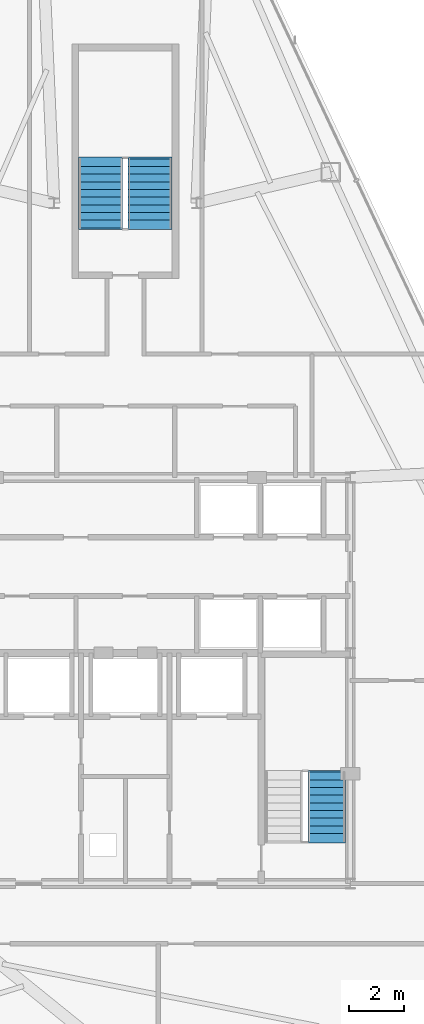
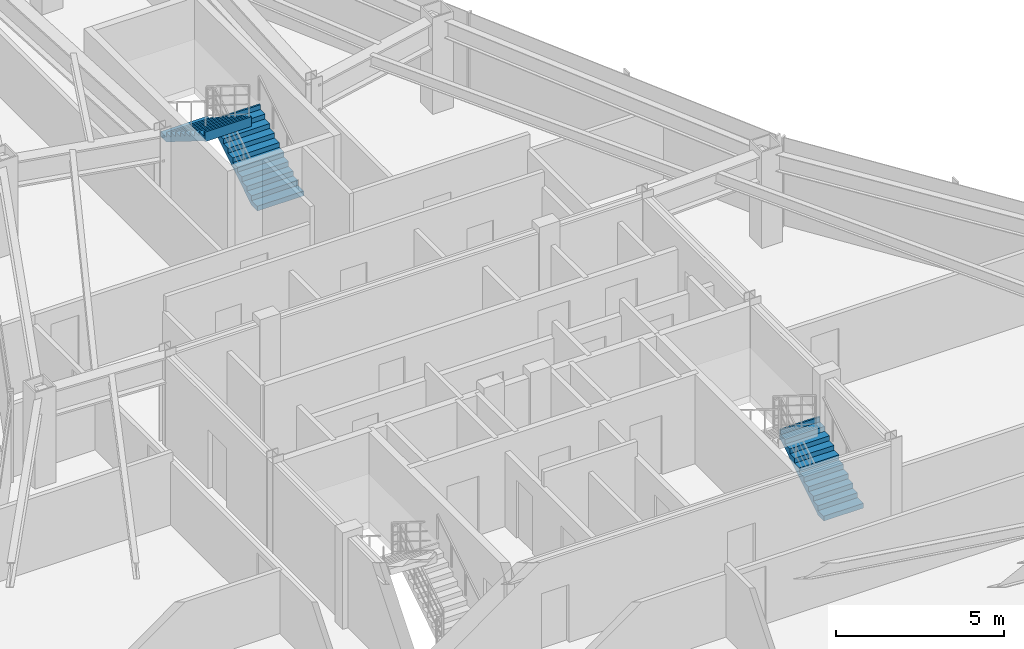
# One storey, part 11 of 12: 3 stair flights, 2 elements without a shape of their own.
"""IFC4 building model written with IfcOpenShell, lengths in metres."""

from ifc_helpers import new_model, si_unit, direction, frame, origin, place, context, subcontext, project, spatial, polyline, outline, extrude, material, type_object, element, aggregate, save


model = new_model("IFC4")

# Units and contexts
model_context = context("Model", 3, precision=1e-05, world=origin(), true_north=direction((0.0, 1.0)))
body_context = subcontext(model_context, "Body", "Model", "MODEL_VIEW")
ifc_project = project(units=[si_unit("LENGTHUNIT", "METRE"), si_unit("AREAUNIT", "SQUARE_METRE"), si_unit("VOLUMEUNIT", "CUBIC_METRE"), si_unit("PLANEANGLEUNIT", "RADIAN"), si_unit("MASSUNIT", "GRAM", prefix="KILO")], contexts=[model_context])

# Site, building, storey
site_placement = place(None, origin())
site = spatial("IfcSite", under=ifc_project, at=site_placement, CompositionType="ELEMENT")
building_placement = place(site_placement, origin())
building = spatial("IfcBuilding", under=site, at=building_placement, Name="Varakhsha Concourse Tower", CompositionType="ELEMENT")
storey_placement = place(building_placement, frame((0.0, 0.0, 225.89990234375)))
storey = spatial("IfcBuildingStorey", under=building, at=storey_placement, Name="L64", CompositionType="ELEMENT", Elevation=225.89990234375)

# Stair, stair flight
ifc_material = material(Name="Concrete fc 45 MPa", Category="concrete")
stair_type_1 = type_object("IfcStairType", Name="ST-DOGLEG-1360", PredefinedType="HALF_TURN_STAIR", material=ifc_material)
stair_1_placement = place(storey_placement, origin())
stair_1 = element("IfcStair", 1, at=stair_1_placement, inside=storey, type_object=stair_type_1, Name="L64 Protected Exit Stair ST2", PredefinedType="HALF_TURN_STAIR")
stair_flight_type_1 = type_object("IfcStairFlightType", Name="STF-1360-R1750", PredefinedType="STRAIGHT", material=ifc_material)
stair_flight_1_placement = place(storey_placement, frame((47.340087890625, 17.93994140625, 0.0), z_axis=(0.0, 0.0, 1.0), x_axis=(0.0, 1.0, 0.0)))
stair_flight_1 = element("IfcStairFlight", 2, at=stair_flight_1_placement, type_object=stair_flight_type_1, Name="ST2 flight 1", NumberOfRisers=10, NumberOfTreads=9, PredefinedType="STRAIGHT", RiserHeight=0.175, TreadLength=0.28, context=body_context, shape_type="SweptSolid", body=[
    extrude(outline(polyline([(-0.06005859375, 0.0), (-0.06005859375, 0.175048828125), (0.0, 0.175048828125), (0.280029296875, 0.175048828125), (0.280029296875, 0.35009765625), (0.56005859375, 0.35009765625), (0.56005859375, 0.52490234375), (0.840087890625, 0.52490234375), (0.840087890625, 0.699951171875), (1.1201171875, 0.699951171875), (1.1201171875, 0.875), (1.39990234375, 0.875), (1.39990234375, 1.050048828125), (1.679931640625, 1.050048828125), (1.679931640625, 1.22509765625), (1.9599609375, 1.22509765625), (1.9599609375, 1.39990234375), (2.239990234375, 1.39990234375), (2.239990234375, 1.574951171875), (2.52001953125, 1.574951171875), (2.52001953125, 1.75), (2.580078125, 1.75), (2.580078125, 1.398193359375), (2.52001953125, 1.398193359375), (0.28271484375, 0.0), (-0.06005859375, 0.0)])), frame((0.0, 0.68017578125, 0.0), z_axis=(0.0, -1.0, 0.0), x_axis=(1.0, 0.0, 0.0)), (0.0, 0.0, 1.0), 1.360107421875),
])
aggregate(stair_1, [stair_flight_1])

# Stair, stair flights
stair_type_2 = type_object("IfcStairType", Name="ST-DOGLEG-1600", PredefinedType="HALF_TURN_STAIR", material=ifc_material)
stair_2_placement = place(storey_placement, origin())
stair_2 = element("IfcStair", 3, at=stair_2_placement, inside=storey, type_object=stair_type_2, Name="L64 Protected Exit Stair ST5", PredefinedType="HALF_TURN_STAIR")
stair_flight_type_2 = type_object("IfcStairFlightType", Name="STF-1600-R1750", PredefinedType="STRAIGHT", material=ifc_material)
stair_flight_2_placement = place(storey_placement, frame((40.89990234375, 40.300048828125, 0.0), z_axis=(0.0, 0.0, 1.0), x_axis=(0.0, 1.0, 0.0)))
stair_flight_2 = element("IfcStairFlight", 4, at=stair_flight_2_placement, type_object=stair_flight_type_2, Name="ST5 flight 1", NumberOfRisers=10, NumberOfTreads=9, PredefinedType="STRAIGHT", RiserHeight=0.175, TreadLength=0.28, context=body_context, shape_type="SweptSolid", body=[
    extrude(outline(polyline([(-0.06005859375, 0.0), (-0.06005859375, 0.175048828125), (0.0, 0.175048828125), (0.280029296875, 0.175048828125), (0.280029296875, 0.35009765625), (0.56005859375, 0.35009765625), (0.56005859375, 0.52490234375), (0.840087890625, 0.52490234375), (0.840087890625, 0.699951171875), (1.1201171875, 0.699951171875), (1.1201171875, 0.875), (1.39990234375, 0.875), (1.39990234375, 1.050048828125), (1.679931640625, 1.050048828125), (1.679931640625, 1.22509765625), (1.9599609375, 1.22509765625), (1.9599609375, 1.39990234375), (2.239990234375, 1.39990234375), (2.239990234375, 1.574951171875), (2.52001953125, 1.574951171875), (2.52001953125, 1.75), (2.580078125, 1.75), (2.580078125, 1.398193359375), (2.52001953125, 1.398193359375), (0.28271484375, 0.0), (-0.06005859375, 0.0)])), frame((0.0, 0.800048828125, 0.0), z_axis=(0.0, -1.0, 0.0), x_axis=(1.0, 0.0, 0.0)), (0.0, 0.0, 1.0), 1.60009765625),
])
stair_flight_3_placement = place(storey_placement, frame((39.10009765625, 42.820068359375, 1.75), z_axis=(0.0, 0.0, 1.0), x_axis=(0.0, -1.0, 0.0)))
stair_flight_3 = element("IfcStairFlight", 5, at=stair_flight_3_placement, type_object=stair_flight_type_2, Name="ST5 flight 2", NumberOfRisers=10, NumberOfTreads=9, PredefinedType="STRAIGHT", RiserHeight=0.175, TreadLength=0.28, context=body_context, shape_type="SweptSolid", body=[
    extrude(outline(polyline([(-0.06005859375, 0.0), (-0.06005859375, 0.175048828125), (0.0, 0.175048828125), (0.280029296875, 0.175048828125), (0.280029296875, 0.35009765625), (0.56005859375, 0.35009765625), (0.56005859375, 0.52490234375), (0.840087890625, 0.52490234375), (0.840087890625, 0.699951171875), (1.1201171875, 0.699951171875), (1.1201171875, 0.875), (1.39990234375, 0.875), (1.39990234375, 1.050048828125), (1.679931640625, 1.050048828125), (1.679931640625, 1.22509765625), (1.9599609375, 1.22509765625), (1.9599609375, 1.39990234375), (2.239990234375, 1.39990234375), (2.239990234375, 1.574951171875), (2.52001953125, 1.574951171875), (2.52001953125, 1.75), (2.580078125, 1.75), (2.580078125, 1.398193359375), (2.52001953125, 1.398193359375), (0.28271484375, 0.0), (-0.06005859375, 0.0)])), frame((0.0, 0.800048828125, 0.0), z_axis=(0.0, -1.0, 0.0), x_axis=(1.0, 0.0, 0.0)), (0.0, 0.0, 1.0), 1.60009765625),
])
aggregate(stair_2, [stair_flight_2, stair_flight_3])

save(model, "model.ifc")
